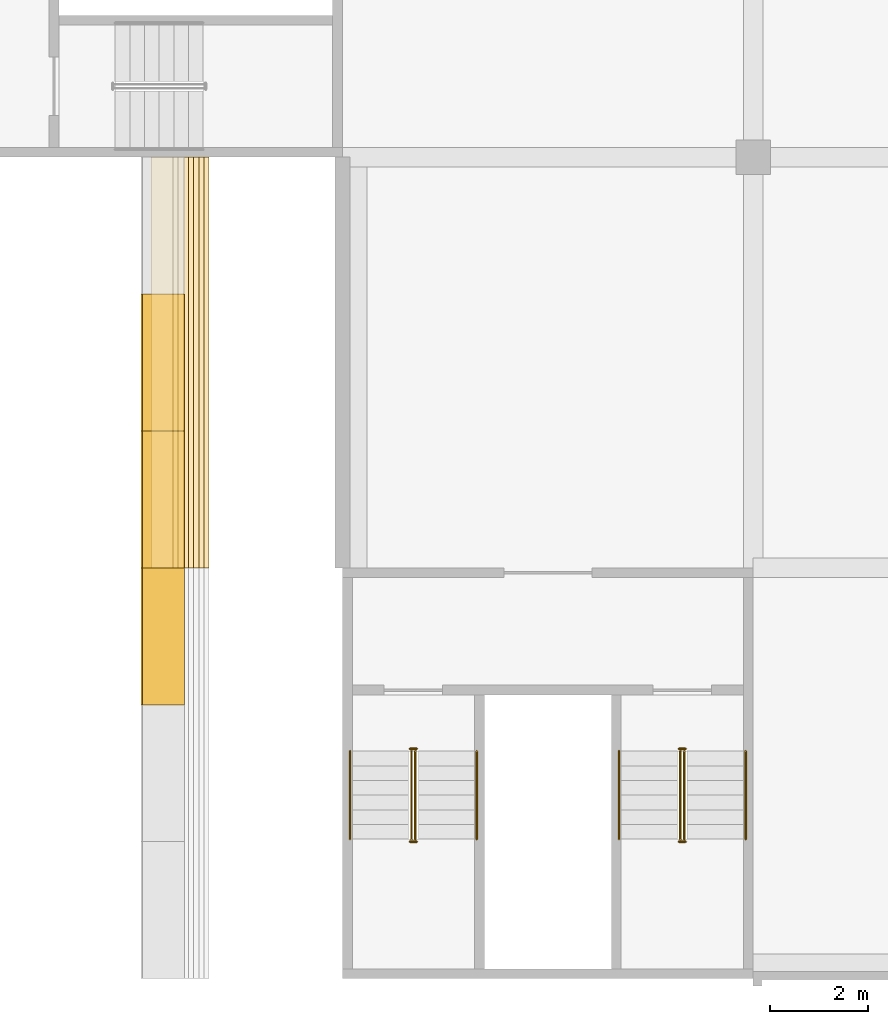
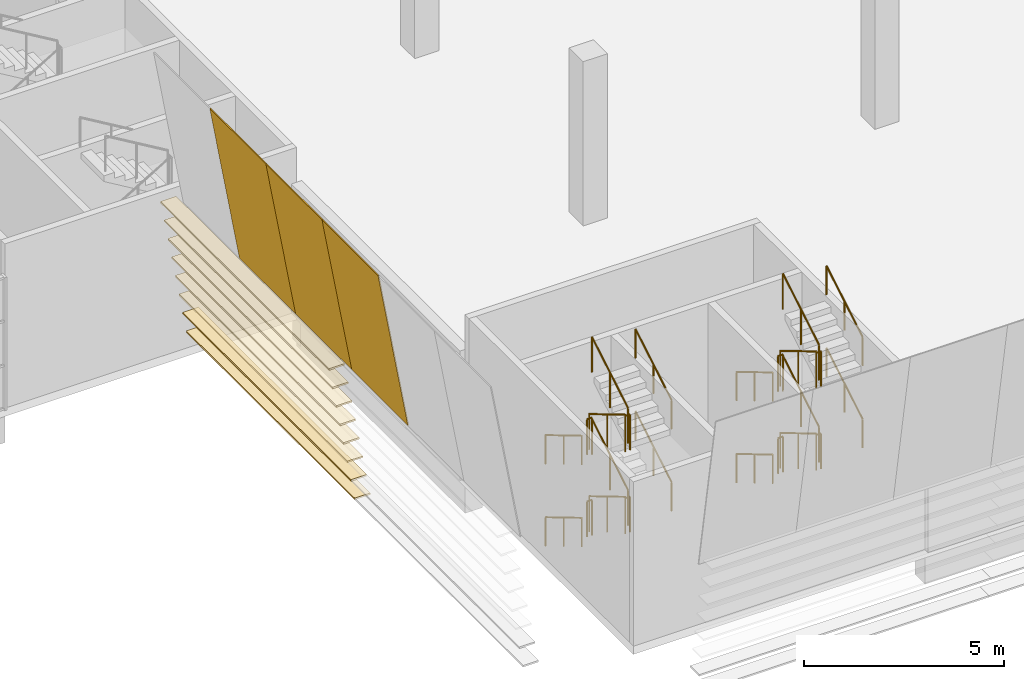
# One storey, part 63 of 82: 24 railings, 11 coverings.
"""IFC4 building model written with IfcOpenShell, lengths in metres."""

from ifc_helpers import new_model, si_unit, direction, frame, origin, origin_2d, place, context, subcontext, project, spatial, polyline, rectangle, circle, outline, extrude, material, layer, layer_set, material_profile, profile_set, type_object, element, save


model = new_model("IFC4")

# Units and contexts
model_context = context("Model", 3, precision=1e-05, world=origin(), true_north=direction((0.0, 1.0)))
body_context = subcontext(model_context, "Body", "Model", "MODEL_VIEW")
ifc_project = project(units=[si_unit("LENGTHUNIT", "METRE"), si_unit("AREAUNIT", "SQUARE_METRE"), si_unit("VOLUMEUNIT", "CUBIC_METRE"), si_unit("PLANEANGLEUNIT", "RADIAN"), si_unit("MASSUNIT", "GRAM", prefix="KILO")], contexts=[model_context])

# Site, building, storey
site_placement = place(None, origin())
site = spatial("IfcSite", under=ifc_project, at=site_placement, CompositionType="ELEMENT")
building_placement = place(site_placement, origin())
building = spatial("IfcBuilding", under=site, at=building_placement, Name="Almond Square Museum", CompositionType="ELEMENT")
storey_placement = place(building_placement, frame((0.0, 0.0, 20.0)))
storey = spatial("IfcBuildingStorey", under=building, at=storey_placement, Name="L03", CompositionType="ELEMENT", Elevation=20.0)

# Coverings
ifc_material_1 = material(Name="Cedar timber louvre board", Category="wood")
ifc_material_profile = material_profile(ifc_material_1, rectangle(XDim=0.449951171875, YDim=0.050048828125, at=origin_2d()))
ifc_profile_set = profile_set([ifc_material_profile], Name="Cedar timber louvre board")
covering_type_1 = type_object("IfcCoveringType", Name="Louvre board 450 x 50", PredefinedType="CLADDING", material=ifc_profile_set)
for number, where, z_axis, x_axis, name in (
    (1, (103.8486328125, 58.800048828125, 0.5), (0.0, 1.0, 0.0), (-1.0, 0.0, 0.0), "Louvre board W23.02"),
    (2, (103.742919921875, 58.800048828125, 1.10009765625), (0.0, 1.0, 0.0), (-1.0, 0.0, 0.0), "Louvre board W24.02"),
    (3, (103.636962890625, 58.800048828125, 1.699951171875), (0.0, 1.0, 0.0), (-1.0, 0.0, 0.0), "Louvre board W25.02"),
    (4, (103.53125, 58.800048828125, 2.300048828125), (0.0, 1.0, 0.0), (-1.0, 0.0, 0.0), "Louvre board W26.02"),
    (5, (103.425537109375, 58.800048828125, 2.89990234375), (0.0, 1.0, 0.0), (-1.0, 0.0, 0.0), "Louvre board W27.02"),
    (6, (103.319580078125, 58.800048828125, 3.5), (0.0, 1.0, 0.0), (-1.0, 0.0, 0.0), "Louvre board W28.02"),
    (7, (103.2138671875, 58.800048828125, 4.10009765625), (0.0, 1.0, 0.0), (-1.0, 0.0, 0.0), "Louvre board W29.02"),
    (8, (103.108154296875, 58.800048828125, 4.699951171875), (0.0, 1.0, 0.0), (-1.0, 0.0, 0.0), "Louvre board W30.02"),
):
    element("IfcCovering", number, at=place(storey_placement, frame(where, z_axis=z_axis, x_axis=x_axis)), inside=storey, type_object=covering_type_1, Name=name, PredefinedType="CLADDING", context=body_context, shape_type="SweptSolid", body=[
        extrude(rectangle(XDim=0.449951171875, YDim=0.050048828125, at=origin_2d()), origin(), (0.0, 0.0, 1.0), 8.39990234375),
    ])
ifc_material_2 = material(Name="Cedar timber sheathing panel", Category="wood")
ifc_layer = layer(ifc_material_2, 0.030029296875)
ifc_layer_set = layer_set([ifc_layer], Name="Cedar timber sheathing panel")
covering_type_2 = type_object("IfcCoveringType", Name="Louvre rain-screen backing panel 30", PredefinedType="CLADDING", material=ifc_layer_set)
for number, where, z_axis, x_axis, name in (
    (9, (103.5537109375, 56.0, 4.469970703125), (0.984808947576, 0.0, 0.173641402823), (0.0, 1.0, 0.0), "Louvre rain-screen backing panel W03.06"),
    (10, (103.5537109375, 58.800048828125, 4.469970703125), (0.984808947576, 0.0, 0.173641402823), (0.0, 1.0, 0.0), "Louvre rain-screen backing panel W04.06"),
):
    element("IfcCovering", number, at=place(storey_placement, frame(where, z_axis=z_axis, x_axis=x_axis)), inside=storey, type_object=covering_type_2, Name=name, PredefinedType="CLADDING", context=body_context, shape_type="SweptSolid", body=[
        extrude(outline(polyline([(0.0, 0.0), (2.800048828125, 0.0), (2.800048828125, 4.935076426587713), (0.0, 4.935076426587713), (0.0, 0.0)])), frame((0.0, 0.0, -0.01513671875)), (0.0, 0.0, 1.0), 0.030029296875),
    ])
covering_placement = place(storey_placement, frame((103.5537109375, 61.60009765625, 4.469970703125), z_axis=(0.984808947576, 0.0, 0.173641402823), x_axis=(0.0, 1.0, 0.0)))
element("IfcCovering", 11, at=covering_placement, inside=storey, type_object=covering_type_2, Name="Louvre rain-screen backing panel W05.06", PredefinedType="CLADDING", context=body_context, shape_type="SweptSolid", body=[
    extrude(outline(polyline([(0.0, 0.0), (2.7998046875, 0.0), (2.7998046875, 4.935076426587713), (0.0, 4.935076426587713), (0.0, 0.0)])), frame((0.0, 0.0, -0.01513671875)), (0.0, 0.0, 1.0), 0.030029296875),
])

# Railings
ifc_material_3 = material(Name="Stainless steel and laminated glass", Category="steel")
railing_type_1 = type_object("IfcRailingType", Name="Stair guard 1100 steel and glass", PredefinedType="GUARDRAIL", material=ifc_material_3)
railing_1_placement = place(storey_placement, frame((108.2099609375, 55.050048828125, 0.178466796875)))
element("IfcRailing", 12, at=railing_1_placement, inside=storey, type_object=railing_type_1, Name="L03 ST-01 stair guard 1", PredefinedType="GUARDRAIL", context=body_context, shape_type="SweptSolid", body=[
    extrude(circle(Radius=0.02392578125, at=origin_2d()), frame((0.0, 0.0, 1.076171875), z_axis=(0.0, -0.859277029364, 0.511510495305), x_axis=(1.0, 0.0, 0.0)), (0.0, 0.0, 1.0), 2.0947265625),
    extrude(circle(Radius=0.02099609375, at=origin_2d()), origin(), (0.0, 0.0, 1.0), 1.052001953125),
    extrude(circle(Radius=0.02099609375, at=origin_2d()), frame((0.0, -0.89990234375, 0.53564453125)), (0.0, 0.0, 1.0), 1.052001953125),
    extrude(circle(Radius=0.02099609375, at=origin_2d()), frame((0.0, -1.800048828125, 1.071533203125)), (0.0, 0.0, 1.0), 1.052001953125),
])
railing_2_placement = place(storey_placement, frame((108.179931640625, 53.199951171875, 1.25)))
element("IfcRailing", 13, at=railing_2_placement, inside=storey, type_object=railing_type_1, Name="L03 ST-01 stair guard 2", PredefinedType="GUARDRAIL", context=body_context, shape_type="SweptSolid", body=[
    extrude(circle(Radius=0.02392578125, at=origin_2d()), frame((0.0, 0.0, 1.076171875), z_axis=(1.0, 0.0, 0.0), x_axis=(0.0, 1.0, 0.0)), (0.0, 0.0, 1.0), 0.14013671875),
    extrude(circle(Radius=0.02099609375, at=origin_2d()), origin(), (0.0, 0.0, 1.0), 1.052001953125),
    extrude(circle(Radius=0.02099609375, at=origin_2d()), frame((0.14013671875, 0.0, 0.0)), (0.0, 0.0, 1.0), 1.052001953125),
])
railing_3_placement = place(storey_placement, frame((108.2900390625, 53.25, 1.428466796875)))
element("IfcRailing", 14, at=railing_3_placement, inside=storey, type_object=railing_type_1, Name="L03 ST-01 stair guard 3", PredefinedType="GUARDRAIL", context=body_context, shape_type="SweptSolid", body=[
    extrude(circle(Radius=0.02392578125, at=origin_2d()), frame((0.0, 0.0, 1.076171875), z_axis=(0.0, 0.859277029364, 0.511510495305), x_axis=(-1.0, 0.0, 0.0)), (0.0, 0.0, 1.0), 2.0947265625),
    extrude(circle(Radius=0.02099609375, at=origin_2d()), origin(), (0.0, 0.0, 1.0), 1.052001953125),
    extrude(circle(Radius=0.02099609375, at=origin_2d()), frame((0.0, 0.89990234375, 0.53564453125)), (0.0, 0.0, 1.0), 1.052001953125),
    extrude(circle(Radius=0.02099609375, at=origin_2d()), frame((0.0, 1.800048828125, 1.071533203125)), (0.0, 0.0, 1.0), 1.052001953125),
])
railing_4_placement = place(storey_placement, frame((108.179931640625, 55.10009765625, 2.5)))
element("IfcRailing", 15, at=railing_4_placement, inside=storey, type_object=railing_type_1, Name="L03 ST-01 stair guard 4", PredefinedType="GUARDRAIL", context=body_context, shape_type="SweptSolid", body=[
    extrude(circle(Radius=0.02392578125, at=origin_2d()), frame((0.0, 0.0, 1.076171875), z_axis=(1.0, 0.0, 0.0), x_axis=(0.0, 1.0, 0.0)), (0.0, 0.0, 1.0), 0.14013671875),
    extrude(circle(Radius=0.02099609375, at=origin_2d()), origin(), (0.0, 0.0, 1.0), 1.052001953125),
    extrude(circle(Radius=0.02099609375, at=origin_2d()), frame((0.14013671875, 0.0, 0.0)), (0.0, 0.0, 1.0), 1.052001953125),
])
railing_5_placement = place(storey_placement, frame((108.2099609375, 55.050048828125, 2.678466796875)))
element("IfcRailing", 16, at=railing_5_placement, inside=storey, type_object=railing_type_1, Name="L03 ST-01 stair guard 5", PredefinedType="GUARDRAIL", context=body_context, shape_type="SweptSolid", body=[
    extrude(circle(Radius=0.02392578125, at=origin_2d()), frame((0.0, 0.0, 1.076171875), z_axis=(0.0, -0.859277029364, 0.511510495305), x_axis=(1.0, 0.0, 0.0)), (0.0, 0.0, 1.0), 2.0947265625),
    extrude(circle(Radius=0.02099609375, at=origin_2d()), origin(), (0.0, 0.0, 1.0), 1.052001953125),
    extrude(circle(Radius=0.02099609375, at=origin_2d()), frame((0.0, -0.89990234375, 0.53564453125)), (0.0, 0.0, 1.0), 1.052001953125),
    extrude(circle(Radius=0.02099609375, at=origin_2d()), frame((0.0, -1.800048828125, 1.071533203125)), (0.0, 0.0, 1.0), 1.052001953125),
])
railing_6_placement = place(storey_placement, frame((108.179931640625, 53.199951171875, 3.75)))
element("IfcRailing", 17, at=railing_6_placement, inside=storey, type_object=railing_type_1, Name="L03 ST-01 stair guard 6", PredefinedType="GUARDRAIL", context=body_context, shape_type="SweptSolid", body=[
    extrude(circle(Radius=0.02392578125, at=origin_2d()), frame((0.0, 0.0, 1.076171875), z_axis=(1.0, 0.0, 0.0), x_axis=(0.0, 1.0, 0.0)), (0.0, 0.0, 1.0), 0.14013671875),
    extrude(circle(Radius=0.02099609375, at=origin_2d()), origin(), (0.0, 0.0, 1.0), 1.052001953125),
    extrude(circle(Radius=0.02099609375, at=origin_2d()), frame((0.14013671875, 0.0, 0.0)), (0.0, 0.0, 1.0), 1.052001953125),
])
railing_7_placement = place(storey_placement, frame((108.2900390625, 53.25, 3.928466796875)))
element("IfcRailing", 18, at=railing_7_placement, inside=storey, type_object=railing_type_1, Name="L03 ST-01 stair guard 7", PredefinedType="GUARDRAIL", context=body_context, shape_type="SweptSolid", body=[
    extrude(circle(Radius=0.02392578125, at=origin_2d()), frame((0.0, 0.0, 1.076171875), z_axis=(0.0, 0.859277029364, 0.511510495305), x_axis=(-1.0, 0.0, 0.0)), (0.0, 0.0, 1.0), 2.0947265625),
    extrude(circle(Radius=0.02099609375, at=origin_2d()), origin(), (0.0, 0.0, 1.0), 1.052001953125),
    extrude(circle(Radius=0.02099609375, at=origin_2d()), frame((0.0, 0.89990234375, 0.53564453125)), (0.0, 0.0, 1.0), 1.052001953125),
    extrude(circle(Radius=0.02099609375, at=origin_2d()), frame((0.0, 1.800048828125, 1.071533203125)), (0.0, 0.0, 1.0), 1.052001953125),
])
railing_8_placement = place(storey_placement, frame((108.179931640625, 55.10009765625, 0.0)))
element("IfcRailing", 19, at=railing_8_placement, inside=storey, type_object=railing_type_1, Name="L03 ST-01 stair guard 8", PredefinedType="GUARDRAIL", context=body_context, shape_type="SweptSolid", body=[
    extrude(circle(Radius=0.02392578125, at=origin_2d()), frame((0.0, 0.0, 1.076171875), z_axis=(1.0, 0.0, 0.0), x_axis=(0.0, 1.0, 0.0)), (0.0, 0.0, 1.0), 0.14013671875),
    extrude(circle(Radius=0.02099609375, at=origin_2d()), origin(), (0.0, 0.0, 1.0), 1.052001953125),
    extrude(circle(Radius=0.02099609375, at=origin_2d()), frame((0.14013671875, 0.0, 0.0)), (0.0, 0.0, 1.0), 1.052001953125),
])
railing_9_placement = place(storey_placement, frame((113.7099609375, 55.050048828125, 0.178466796875)))
element("IfcRailing", 20, at=railing_9_placement, inside=storey, type_object=railing_type_1, Name="L03 ST-02 stair guard 1", PredefinedType="GUARDRAIL", context=body_context, shape_type="SweptSolid", body=[
    extrude(circle(Radius=0.02392578125, at=origin_2d()), frame((0.0, 0.0, 1.076171875), z_axis=(0.0, -0.859277029364, 0.511510495305), x_axis=(1.0, 0.0, 0.0)), (0.0, 0.0, 1.0), 2.0947265625),
    extrude(circle(Radius=0.02099609375, at=origin_2d()), origin(), (0.0, 0.0, 1.0), 1.052001953125),
    extrude(circle(Radius=0.02099609375, at=origin_2d()), frame((0.0, -0.89990234375, 0.53564453125)), (0.0, 0.0, 1.0), 1.052001953125),
    extrude(circle(Radius=0.02099609375, at=origin_2d()), frame((0.0, -1.800048828125, 1.071533203125)), (0.0, 0.0, 1.0), 1.052001953125),
])
railing_10_placement = place(storey_placement, frame((113.679931640625, 53.199951171875, 1.25)))
element("IfcRailing", 21, at=railing_10_placement, inside=storey, type_object=railing_type_1, Name="L03 ST-02 stair guard 2", PredefinedType="GUARDRAIL", context=body_context, shape_type="SweptSolid", body=[
    extrude(circle(Radius=0.02392578125, at=origin_2d()), frame((0.0, 0.0, 1.076171875), z_axis=(1.0, 0.0, 0.0), x_axis=(0.0, 1.0, 0.0)), (0.0, 0.0, 1.0), 0.14013671875),
    extrude(circle(Radius=0.02099609375, at=origin_2d()), origin(), (0.0, 0.0, 1.0), 1.052001953125),
    extrude(circle(Radius=0.02099609375, at=origin_2d()), frame((0.14013671875, 0.0, 0.0)), (0.0, 0.0, 1.0), 1.052001953125),
])
railing_11_placement = place(storey_placement, frame((113.7900390625, 53.25, 1.428466796875)))
element("IfcRailing", 22, at=railing_11_placement, inside=storey, type_object=railing_type_1, Name="L03 ST-02 stair guard 3", PredefinedType="GUARDRAIL", context=body_context, shape_type="SweptSolid", body=[
    extrude(circle(Radius=0.02392578125, at=origin_2d()), frame((0.0, 0.0, 1.076171875), z_axis=(0.0, 0.859277029364, 0.511510495305), x_axis=(-1.0, 0.0, 0.0)), (0.0, 0.0, 1.0), 2.0947265625),
    extrude(circle(Radius=0.02099609375, at=origin_2d()), origin(), (0.0, 0.0, 1.0), 1.052001953125),
    extrude(circle(Radius=0.02099609375, at=origin_2d()), frame((0.0, 0.89990234375, 0.53564453125)), (0.0, 0.0, 1.0), 1.052001953125),
    extrude(circle(Radius=0.02099609375, at=origin_2d()), frame((0.0, 1.800048828125, 1.071533203125)), (0.0, 0.0, 1.0), 1.052001953125),
])
railing_12_placement = place(storey_placement, frame((113.679931640625, 55.10009765625, 2.5)))
element("IfcRailing", 23, at=railing_12_placement, inside=storey, type_object=railing_type_1, Name="L03 ST-02 stair guard 4", PredefinedType="GUARDRAIL", context=body_context, shape_type="SweptSolid", body=[
    extrude(circle(Radius=0.02392578125, at=origin_2d()), frame((0.0, 0.0, 1.076171875), z_axis=(1.0, 0.0, 0.0), x_axis=(0.0, 1.0, 0.0)), (0.0, 0.0, 1.0), 0.14013671875),
    extrude(circle(Radius=0.02099609375, at=origin_2d()), origin(), (0.0, 0.0, 1.0), 1.052001953125),
    extrude(circle(Radius=0.02099609375, at=origin_2d()), frame((0.14013671875, 0.0, 0.0)), (0.0, 0.0, 1.0), 1.052001953125),
])
railing_13_placement = place(storey_placement, frame((113.7099609375, 55.050048828125, 2.678466796875)))
element("IfcRailing", 24, at=railing_13_placement, inside=storey, type_object=railing_type_1, Name="L03 ST-02 stair guard 5", PredefinedType="GUARDRAIL", context=body_context, shape_type="SweptSolid", body=[
    extrude(circle(Radius=0.02392578125, at=origin_2d()), frame((0.0, 0.0, 1.076171875), z_axis=(0.0, -0.859277029364, 0.511510495305), x_axis=(1.0, 0.0, 0.0)), (0.0, 0.0, 1.0), 2.0947265625),
    extrude(circle(Radius=0.02099609375, at=origin_2d()), origin(), (0.0, 0.0, 1.0), 1.052001953125),
    extrude(circle(Radius=0.02099609375, at=origin_2d()), frame((0.0, -0.89990234375, 0.53564453125)), (0.0, 0.0, 1.0), 1.052001953125),
    extrude(circle(Radius=0.02099609375, at=origin_2d()), frame((0.0, -1.800048828125, 1.071533203125)), (0.0, 0.0, 1.0), 1.052001953125),
])
railing_14_placement = place(storey_placement, frame((113.679931640625, 53.199951171875, 3.75)))
element("IfcRailing", 25, at=railing_14_placement, inside=storey, type_object=railing_type_1, Name="L03 ST-02 stair guard 6", PredefinedType="GUARDRAIL", context=body_context, shape_type="SweptSolid", body=[
    extrude(circle(Radius=0.02392578125, at=origin_2d()), frame((0.0, 0.0, 1.076171875), z_axis=(1.0, 0.0, 0.0), x_axis=(0.0, 1.0, 0.0)), (0.0, 0.0, 1.0), 0.14013671875),
    extrude(circle(Radius=0.02099609375, at=origin_2d()), origin(), (0.0, 0.0, 1.0), 1.052001953125),
    extrude(circle(Radius=0.02099609375, at=origin_2d()), frame((0.14013671875, 0.0, 0.0)), (0.0, 0.0, 1.0), 1.052001953125),
])
railing_15_placement = place(storey_placement, frame((113.7900390625, 53.25, 3.928466796875)))
element("IfcRailing", 26, at=railing_15_placement, inside=storey, type_object=railing_type_1, Name="L03 ST-02 stair guard 7", PredefinedType="GUARDRAIL", context=body_context, shape_type="SweptSolid", body=[
    extrude(circle(Radius=0.02392578125, at=origin_2d()), frame((0.0, 0.0, 1.076171875), z_axis=(0.0, 0.859277029364, 0.511510495305), x_axis=(-1.0, 0.0, 0.0)), (0.0, 0.0, 1.0), 2.0947265625),
    extrude(circle(Radius=0.02099609375, at=origin_2d()), origin(), (0.0, 0.0, 1.0), 1.052001953125),
    extrude(circle(Radius=0.02099609375, at=origin_2d()), frame((0.0, 0.89990234375, 0.53564453125)), (0.0, 0.0, 1.0), 1.052001953125),
    extrude(circle(Radius=0.02099609375, at=origin_2d()), frame((0.0, 1.800048828125, 1.071533203125)), (0.0, 0.0, 1.0), 1.052001953125),
])
railing_16_placement = place(storey_placement, frame((113.679931640625, 55.10009765625, 0.0)))
element("IfcRailing", 27, at=railing_16_placement, inside=storey, type_object=railing_type_1, Name="L03 ST-02 stair guard 8", PredefinedType="GUARDRAIL", context=body_context, shape_type="SweptSolid", body=[
    extrude(circle(Radius=0.02392578125, at=origin_2d()), frame((0.0, 0.0, 1.076171875), z_axis=(1.0, 0.0, 0.0), x_axis=(0.0, 1.0, 0.0)), (0.0, 0.0, 1.0), 0.14013671875),
    extrude(circle(Radius=0.02099609375, at=origin_2d()), origin(), (0.0, 0.0, 1.0), 1.052001953125),
    extrude(circle(Radius=0.02099609375, at=origin_2d()), frame((0.14013671875, 0.0, 0.0)), (0.0, 0.0, 1.0), 1.052001953125),
])
ifc_material_4 = material(Name="Stainless steel", Category="steel")
railing_type_2 = type_object("IfcRailingType", Name="Stair handrail 900 steel", PredefinedType="HANDRAIL", material=ifc_material_4)
railing_17_placement = place(storey_placement, frame((106.955078125, 55.050048828125, 0.178466796875)))
element("IfcRailing", 28, at=railing_17_placement, inside=storey, type_object=railing_type_2, Name="L03 ST-01 stair handrail 1", PredefinedType="HANDRAIL", context=body_context, shape_type="SweptSolid", body=[
    extrude(circle(Radius=0.02392578125, at=origin_2d()), frame((0.0, 0.0, 0.8759765625), z_axis=(0.0, -0.859277029364, 0.511510495305), x_axis=(1.0, 0.0, 0.0)), (0.0, 0.0, 1.0), 2.0947265625),
    extrude(circle(Radius=0.02099609375, at=origin_2d()), origin(), (0.0, 0.0, 1.0), 0.851806640625),
    extrude(circle(Radius=0.02099609375, at=origin_2d()), frame((0.0, -0.89990234375, 0.53564453125)), (0.0, 0.0, 1.0), 0.851806640625),
    extrude(circle(Radius=0.02099609375, at=origin_2d()), frame((0.0, -1.800048828125, 1.071533203125)), (0.0, 0.0, 1.0), 0.851806640625),
])
railing_18_placement = place(storey_placement, frame((109.544921875, 53.25, 1.428466796875)))
element("IfcRailing", 29, at=railing_18_placement, inside=storey, type_object=railing_type_2, Name="L03 ST-01 stair handrail 2", PredefinedType="HANDRAIL", context=body_context, shape_type="SweptSolid", body=[
    extrude(circle(Radius=0.02392578125, at=origin_2d()), frame((0.0, 0.0, 0.8759765625), z_axis=(0.0, 0.859277029364, 0.511510495305), x_axis=(-1.0, 0.0, 0.0)), (0.0, 0.0, 1.0), 2.0947265625),
    extrude(circle(Radius=0.02099609375, at=origin_2d()), origin(), (0.0, 0.0, 1.0), 0.851806640625),
    extrude(circle(Radius=0.02099609375, at=origin_2d()), frame((0.0, 0.89990234375, 0.53564453125)), (0.0, 0.0, 1.0), 0.851806640625),
    extrude(circle(Radius=0.02099609375, at=origin_2d()), frame((0.0, 1.800048828125, 1.071533203125)), (0.0, 0.0, 1.0), 0.851806640625),
])
railing_19_placement = place(storey_placement, frame((106.955078125, 55.050048828125, 2.678466796875)))
element("IfcRailing", 30, at=railing_19_placement, inside=storey, type_object=railing_type_2, Name="L03 ST-01 stair handrail 3", PredefinedType="HANDRAIL", context=body_context, shape_type="SweptSolid", body=[
    extrude(circle(Radius=0.02392578125, at=origin_2d()), frame((0.0, 0.0, 0.8759765625), z_axis=(0.0, -0.859277029364, 0.511510495305), x_axis=(1.0, 0.0, 0.0)), (0.0, 0.0, 1.0), 2.0947265625),
    extrude(circle(Radius=0.02099609375, at=origin_2d()), origin(), (0.0, 0.0, 1.0), 0.851806640625),
    extrude(circle(Radius=0.02099609375, at=origin_2d()), frame((0.0, -0.89990234375, 0.53564453125)), (0.0, 0.0, 1.0), 0.851806640625),
    extrude(circle(Radius=0.02099609375, at=origin_2d()), frame((0.0, -1.800048828125, 1.071533203125)), (0.0, 0.0, 1.0), 0.851806640625),
])
railing_20_placement = place(storey_placement, frame((109.544921875, 53.25, 3.928466796875)))
element("IfcRailing", 31, at=railing_20_placement, inside=storey, type_object=railing_type_2, Name="L03 ST-01 stair handrail 4", PredefinedType="HANDRAIL", context=body_context, shape_type="SweptSolid", body=[
    extrude(circle(Radius=0.02392578125, at=origin_2d()), frame((0.0, 0.0, 0.8759765625), z_axis=(0.0, 0.859277029364, 0.511510495305), x_axis=(-1.0, 0.0, 0.0)), (0.0, 0.0, 1.0), 2.0947265625),
    extrude(circle(Radius=0.02099609375, at=origin_2d()), origin(), (0.0, 0.0, 1.0), 0.851806640625),
    extrude(circle(Radius=0.02099609375, at=origin_2d()), frame((0.0, 0.89990234375, 0.53564453125)), (0.0, 0.0, 1.0), 0.851806640625),
    extrude(circle(Radius=0.02099609375, at=origin_2d()), frame((0.0, 1.800048828125, 1.071533203125)), (0.0, 0.0, 1.0), 0.851806640625),
])
railing_21_placement = place(storey_placement, frame((112.455078125, 55.050048828125, 0.178466796875)))
element("IfcRailing", 32, at=railing_21_placement, inside=storey, type_object=railing_type_2, Name="L03 ST-02 stair handrail 1", PredefinedType="HANDRAIL", context=body_context, shape_type="SweptSolid", body=[
    extrude(circle(Radius=0.02392578125, at=origin_2d()), frame((0.0, 0.0, 0.8759765625), z_axis=(0.0, -0.859277029364, 0.511510495305), x_axis=(1.0, 0.0, 0.0)), (0.0, 0.0, 1.0), 2.0947265625),
    extrude(circle(Radius=0.02099609375, at=origin_2d()), origin(), (0.0, 0.0, 1.0), 0.851806640625),
    extrude(circle(Radius=0.02099609375, at=origin_2d()), frame((0.0, -0.89990234375, 0.53564453125)), (0.0, 0.0, 1.0), 0.851806640625),
    extrude(circle(Radius=0.02099609375, at=origin_2d()), frame((0.0, -1.800048828125, 1.071533203125)), (0.0, 0.0, 1.0), 0.851806640625),
])
railing_22_placement = place(storey_placement, frame((115.044921875, 53.25, 1.428466796875)))
element("IfcRailing", 33, at=railing_22_placement, inside=storey, type_object=railing_type_2, Name="L03 ST-02 stair handrail 2", PredefinedType="HANDRAIL", context=body_context, shape_type="SweptSolid", body=[
    extrude(circle(Radius=0.02392578125, at=origin_2d()), frame((0.0, 0.0, 0.8759765625), z_axis=(0.0, 0.859277029364, 0.511510495305), x_axis=(-1.0, 0.0, 0.0)), (0.0, 0.0, 1.0), 2.0947265625),
    extrude(circle(Radius=0.02099609375, at=origin_2d()), origin(), (0.0, 0.0, 1.0), 0.851806640625),
    extrude(circle(Radius=0.02099609375, at=origin_2d()), frame((0.0, 0.89990234375, 0.53564453125)), (0.0, 0.0, 1.0), 0.851806640625),
    extrude(circle(Radius=0.02099609375, at=origin_2d()), frame((0.0, 1.800048828125, 1.071533203125)), (0.0, 0.0, 1.0), 0.851806640625),
])
railing_23_placement = place(storey_placement, frame((112.455078125, 55.050048828125, 2.678466796875)))
element("IfcRailing", 34, at=railing_23_placement, inside=storey, type_object=railing_type_2, Name="L03 ST-02 stair handrail 3", PredefinedType="HANDRAIL", context=body_context, shape_type="SweptSolid", body=[
    extrude(circle(Radius=0.02392578125, at=origin_2d()), frame((0.0, 0.0, 0.8759765625), z_axis=(0.0, -0.859277029364, 0.511510495305), x_axis=(1.0, 0.0, 0.0)), (0.0, 0.0, 1.0), 2.0947265625),
    extrude(circle(Radius=0.02099609375, at=origin_2d()), origin(), (0.0, 0.0, 1.0), 0.851806640625),
    extrude(circle(Radius=0.02099609375, at=origin_2d()), frame((0.0, -0.89990234375, 0.53564453125)), (0.0, 0.0, 1.0), 0.851806640625),
    extrude(circle(Radius=0.02099609375, at=origin_2d()), frame((0.0, -1.800048828125, 1.071533203125)), (0.0, 0.0, 1.0), 0.851806640625),
])
railing_24_placement = place(storey_placement, frame((115.044921875, 53.25, 3.928466796875)))
element("IfcRailing", 35, at=railing_24_placement, inside=storey, type_object=railing_type_2, Name="L03 ST-02 stair handrail 4", PredefinedType="HANDRAIL", context=body_context, shape_type="SweptSolid", body=[
    extrude(circle(Radius=0.02392578125, at=origin_2d()), frame((0.0, 0.0, 0.8759765625), z_axis=(0.0, 0.859277029364, 0.511510495305), x_axis=(-1.0, 0.0, 0.0)), (0.0, 0.0, 1.0), 2.0947265625),
    extrude(circle(Radius=0.02099609375, at=origin_2d()), origin(), (0.0, 0.0, 1.0), 0.851806640625),
    extrude(circle(Radius=0.02099609375, at=origin_2d()), frame((0.0, 0.89990234375, 0.53564453125)), (0.0, 0.0, 1.0), 0.851806640625),
    extrude(circle(Radius=0.02099609375, at=origin_2d()), frame((0.0, 1.800048828125, 1.071533203125)), (0.0, 0.0, 1.0), 0.851806640625),
])

save(model, "model.ifc")
